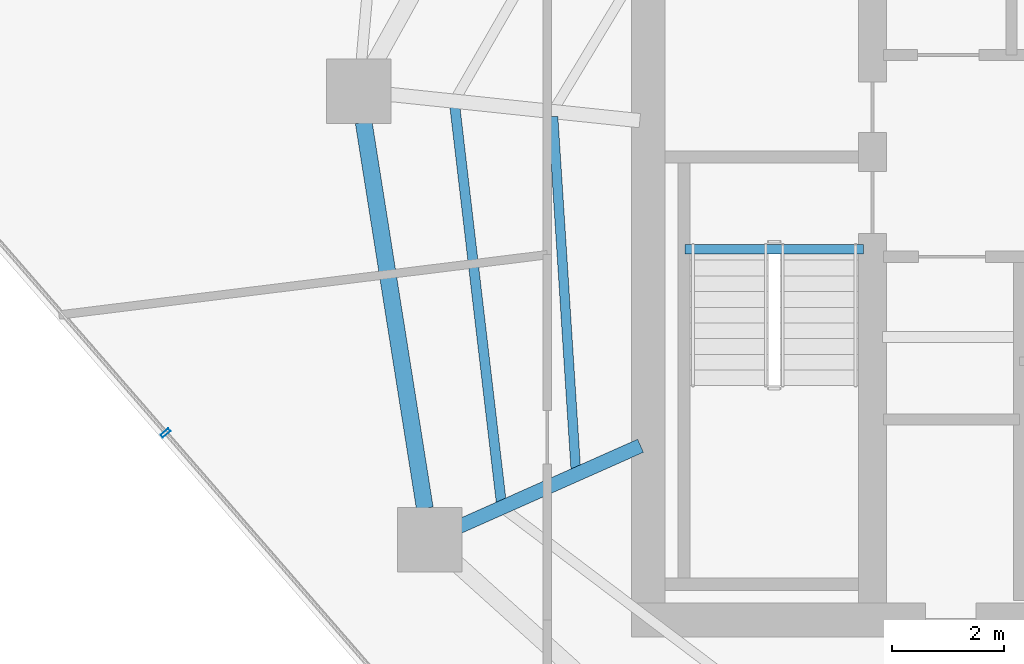
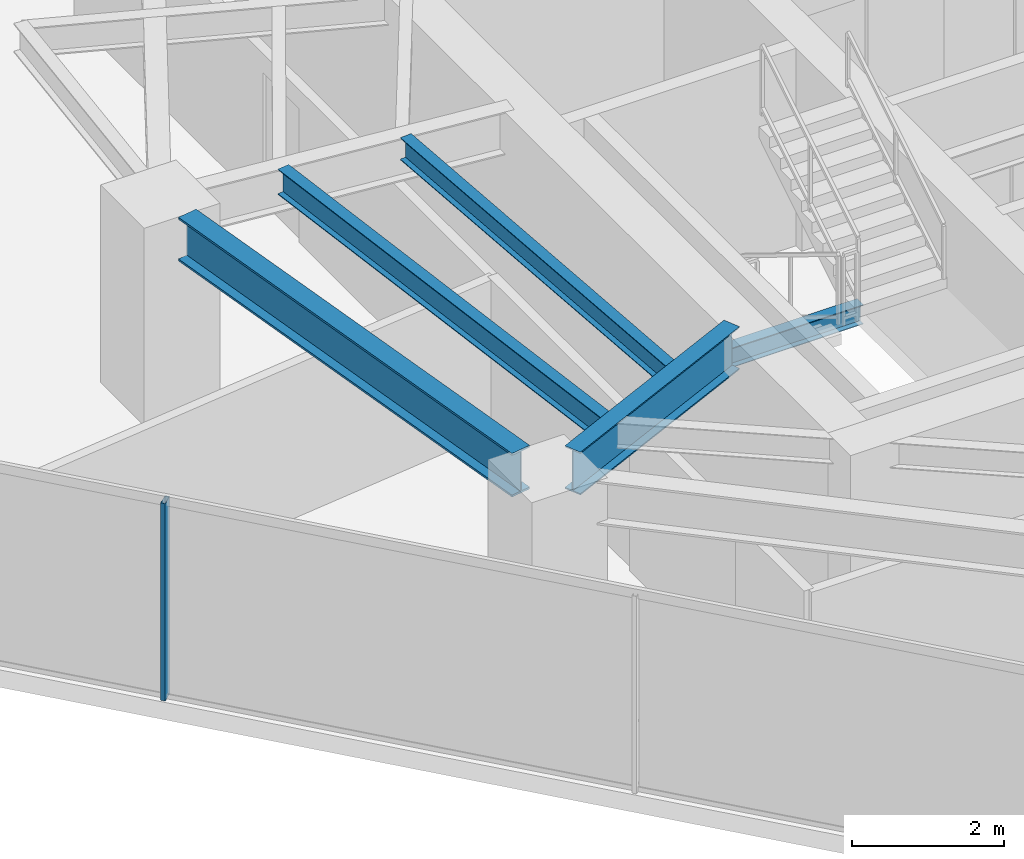
# One storey, part 7 of 27: 5 beams, 1 member, 1 element without a shape of its own.
"""IFC4 building model written with IfcOpenShell, lengths in metres."""

from ifc_helpers import new_model, si_unit, direction, frame, origin, origin_2d, place, context, subcontext, project, spatial, hollow_rectangle, i_section, extrude, material, layer, layer_set, material_profile, profile_set, type_object, element, aggregate, save


model = new_model("IFC4")

# Units and contexts
model_context = context("Model", 3, precision=1e-05, world=origin(), true_north=direction((0.0, 1.0)))
body_context = subcontext(model_context, "Body", "Model", "MODEL_VIEW")
ifc_project = project(units=[si_unit("LENGTHUNIT", "METRE"), si_unit("AREAUNIT", "SQUARE_METRE"), si_unit("VOLUMEUNIT", "CUBIC_METRE"), si_unit("PLANEANGLEUNIT", "RADIAN"), si_unit("MASSUNIT", "GRAM", prefix="KILO")], contexts=[model_context])

# Site, building, storey
site_placement = place(None, origin())
site = spatial("IfcSite", under=ifc_project, at=site_placement, CompositionType="ELEMENT")
building_placement = place(site_placement, origin())
building = spatial("IfcBuilding", under=site, at=building_placement, Name="Qarnah Convention Tower", CompositionType="ELEMENT")
storey_placement = place(building_placement, frame((0.0, 0.0, 107.39990234375)))
storey = spatial("IfcBuildingStorey", under=building, at=storey_placement, Name="L28", CompositionType="ELEMENT", Elevation=107.39990234375)

# Beams
ifc_material_1 = material(Name="Structural steel S355JR", Category="steel")
ifc_material_profile_1 = material_profile(ifc_material_1, i_section(OverallWidth=0.166015625, OverallDepth=0.31201171875, WebThickness=0.007080078125, FlangeThickness=0.010986328125, at=origin_2d()), Name="W310X45")
ifc_profile_set_1 = profile_set([ifc_material_profile_1], Name="Structural steel S355JR")
beam_type_1 = type_object("IfcBeamType", Name="BM-JST-W310", PredefinedType="JOIST", material=ifc_profile_set_1)
beam_1_placement = place(storey_placement, frame((27.4599609375, 25.217041015625, -0.156005859375), z_axis=(1.0, 0.0, 0.0), x_axis=(0.0, 1.0, 0.0)))
element("IfcBeam", 1, at=beam_1_placement, inside=storey, type_object=beam_type_1, Name="L28 stair landing trimmer beam BM-L28-ST1-TRM", PredefinedType="BEAM", context=body_context, shape_type="SweptSolid", body=[
    extrude(i_section(OverallWidth=0.166015625, OverallDepth=0.31201171875, WebThickness=0.007080078125, FlangeThickness=0.010986328125, at=origin_2d()), origin(), (0.0, 0.0, 1.0), 3.179931640625),
])
ifc_material_profile_2 = material_profile(ifc_material_1, i_section(OverallWidth=0.172119140625, OverallDepth=0.35595703125, WebThickness=0.007080078125, FlangeThickness=0.011962890625, at=origin_2d()), Name="W360X51")
ifc_profile_set_2 = profile_set([ifc_material_profile_2], Name="Structural steel S355JR")
beam_type_2 = type_object("IfcBeamType", Name="BM-JST-W360", PredefinedType="JOIST", material=ifc_profile_set_2)
beam_2_placement = place(storey_placement, frame((25.10205078125, 27.58203125, 2.9921875), z_axis=(0.064363628198, -0.997926512006, 0.0), x_axis=(0.997926512006, 0.064363628198, 0.0)))
element("IfcBeam", 2, at=beam_2_placement, inside=storey, type_object=beam_type_2, Name="L28 joist BM-L28-IJST-05", PredefinedType="JOIST", context=body_context, shape_type="SweptSolid", body=[
    extrude(i_section(OverallWidth=0.172119140625, OverallDepth=0.35595703125, WebThickness=0.007080078125, FlangeThickness=0.011962890625, at=origin_2d()), origin(), (0.0, 0.0, 1.0), 6.30810546875),
])
ifc_material_profile_3 = material_profile(ifc_material_1, i_section(OverallWidth=0.177978515625, OverallDepth=0.407958984375, WebThickness=0.008056640625, FlangeThickness=0.012939453125, at=origin_2d()), Name="W410X60")
ifc_profile_set_3 = profile_set([ifc_material_profile_3], Name="Structural steel S355JR")
beam_type_3 = type_object("IfcBeamType", Name="BM-JST-W410", PredefinedType="JOIST", material=ifc_profile_set_3)
beam_3_placement = place(storey_placement, frame((23.35009765625, 27.76806640625, 2.966064453125), z_axis=(0.116421423163, -0.993199905472, 0.0), x_axis=(0.993199905472, 0.116421423163, 0.0)))
element("IfcBeam", 3, at=beam_3_placement, inside=storey, type_object=beam_type_3, Name="L28 joist BM-L28-SJST-05", PredefinedType="JOIST", context=body_context, shape_type="SweptSolid", body=[
    extrude(i_section(OverallWidth=0.177978515625, OverallDepth=0.407958984375, WebThickness=0.008056640625, FlangeThickness=0.012939453125, at=origin_2d()), origin(), (0.0, 0.0, 1.0), 7.119384765625),
])
ifc_material_profile_4 = material_profile(ifc_material_1, i_section(OverallWidth=0.25390625, OverallDepth=0.68798828125, WebThickness=0.012939453125, FlangeThickness=0.02099609375, at=origin_2d()), Name="W690X152")
ifc_profile_set_4 = profile_set([ifc_material_profile_4], Name="Structural steel S355JR")
beam_type_4 = type_object("IfcBeamType", Name="BM-RAD-W690", PredefinedType="BEAM", material=ifc_profile_set_4)
beam_4_placement = place(storey_placement, frame((26.6630859375, 21.708984375, 2.826171875), z_axis=(-0.913588053958, -0.4066409567, 0.0), x_axis=(0.4066409567, -0.913588053958, 0.0)))
element("IfcBeam", 4, at=beam_4_placement, inside=storey, type_object=beam_type_4, Name="L28 beam BM-L28-RAD-06", PredefinedType="BEAM", context=body_context, shape_type="SweptSolid", body=[
    extrude(i_section(OverallWidth=0.25390625, OverallDepth=0.68798828125, WebThickness=0.012939453125, FlangeThickness=0.02099609375, at=origin_2d()), origin(), (0.0, 0.0, 1.0), 3.560791015625),
])
ifc_material_profile_5 = material_profile(ifc_material_1, i_section(OverallWidth=0.300048828125, OverallDepth=0.699951171875, WebThickness=0.01708984375, FlangeThickness=0.031982421875, at=origin_2d()), Name="HEB700")
ifc_profile_set_5 = profile_set([ifc_material_profile_5], Name="Structural steel S355JR")
beam_type_5 = type_object("IfcBeamType", Name="BM-RING-HEB700", PredefinedType="BEAM", material=ifc_profile_set_5)
beam_5_placement = place(storey_placement, frame((21.72412109375, 27.47802734375, 2.820068359375), z_axis=(0.156482310627, -0.987680761411, 0.0), x_axis=(0.987680761411, 0.156482310627, 0.0)))
element("IfcBeam", 5, at=beam_5_placement, inside=storey, type_object=beam_type_5, Name="L28 beam BM-L28-SPN-05", PredefinedType="BEAM", context=body_context, shape_type="SweptSolid", body=[
    extrude(i_section(OverallWidth=0.300048828125, OverallDepth=0.699951171875, WebThickness=0.01708984375, FlangeThickness=0.031982421875, at=origin_2d()), origin(), (0.0, 0.0, 1.0), 6.970947265625),
])

# Curtain wall, member
ifc_material_2 = material(Name="Tempered Low-E dark glass", Category="glass")
ifc_layer = layer(ifc_material_2, 0.169921875)
ifc_layer_set = layer_set([ifc_layer], Name="Tempered Low-E dark glass")
curtain_wall_type = type_object("IfcCurtainWallType", Name="CWS-02", PredefinedType="NOTDEFINED", material=ifc_layer_set)
curtain_wall_placement = place(storey_placement, origin())
curtain_wall = element("IfcCurtainWall", 6, at=curtain_wall_placement, inside=storey, type_object=curtain_wall_type, Name="L28 unitised curtain wall CW-L28-F3", PredefinedType="NOTDEFINED")
ifc_material_3 = material(Name="Black anodised aluminium", Category="aluminium")
ifc_material_profile_6 = material_profile(ifc_material_3, hollow_rectangle(XDim=0.06494140625, YDim=0.179931640625, WallThickness=0.00390625, at=origin_2d()), Name="MUL-65X180")
ifc_profile_set_6 = profile_set([ifc_material_profile_6], Name="Black anodised aluminium")
member_type = type_object("IfcMemberType", Name="MUL-T2", PredefinedType="MULLION", material=ifc_profile_set_6)
member_placement = place(storey_placement, frame((18.189697265625, 21.93798828125, 0.0), z_axis=(0.0, 0.0, 1.0), x_axis=(-0.6565842682, 0.754252675668, 0.0)))
member = element("IfcMember", 7, at=member_placement, type_object=member_type, Name="CW-L28-F3 mullion 5", PredefinedType="MULLION", context=body_context, shape_type="SweptSolid", body=[
    extrude(hollow_rectangle(XDim=0.06494140625, YDim=0.179931640625, WallThickness=0.00390625, at=origin_2d()), origin(), (0.0, 0.0, 1.0), 3.170166015625),
])
aggregate(curtain_wall, [member])

save(model, "model.ifc")
